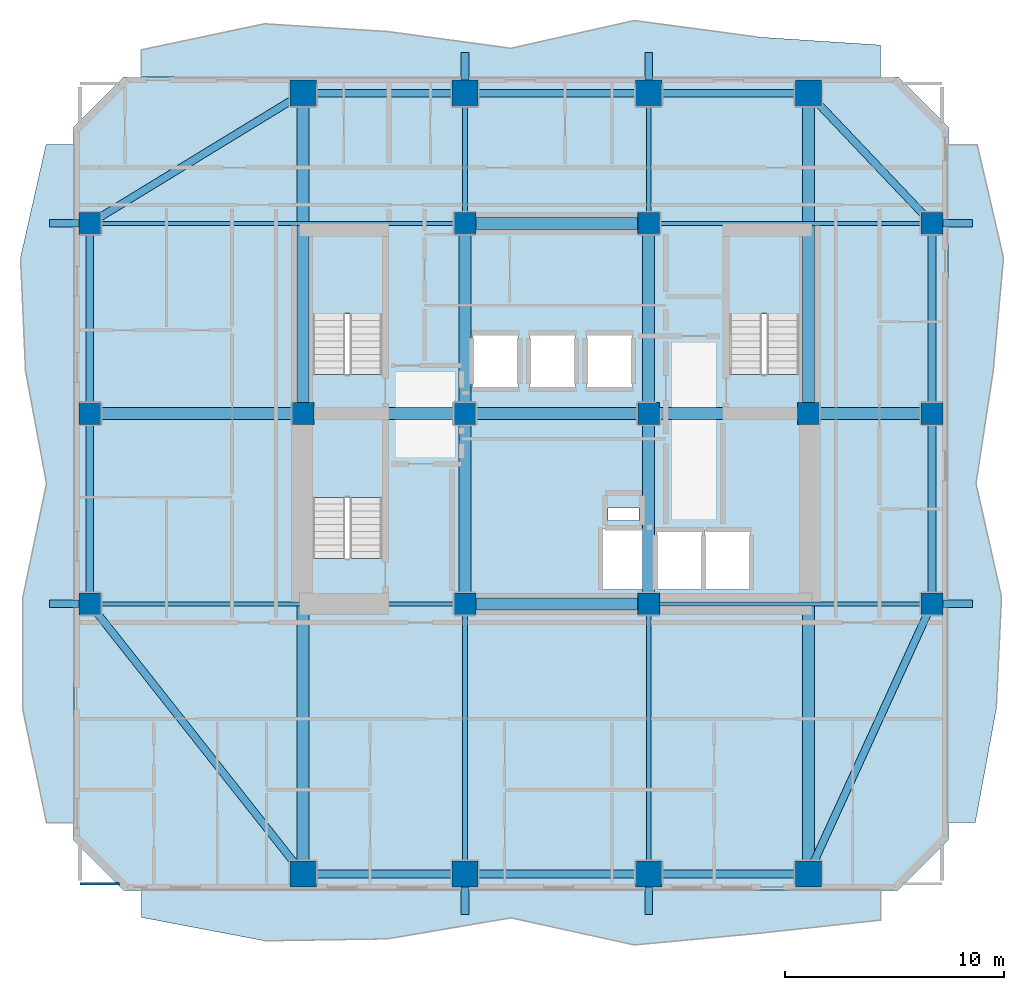
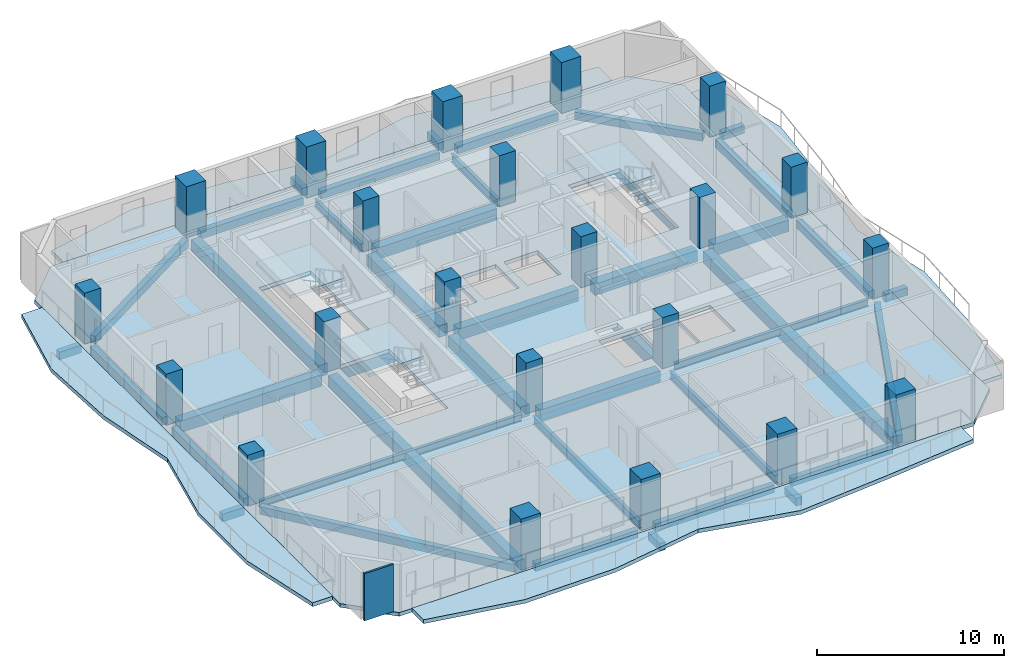
# One storey, part 1 of 11: 45 beams, 22 columns, 8 slabs, 1 wall, 3 elements without a shape of their own.
"""IFC4 building model written with IfcOpenShell, lengths in metres."""

from ifc_helpers import new_model, si_unit, direction, frame, frame_2d, origin, origin_2d, place, context, subcontext, project, spatial, polyline, rectangle, i_section, outline, extrude, material, layer, layer_set, material_profile, profile_set, type_object, element, aggregate, save


model = new_model("IFC4")

# Units and contexts
model_context = context("Model", 3, precision=1e-05, world=origin(), true_north=direction((0.0, 1.0)))
body_context = subcontext(model_context, "Body", "Model", "MODEL_VIEW")
ifc_project = project(units=[si_unit("LENGTHUNIT", "METRE"), si_unit("AREAUNIT", "SQUARE_METRE"), si_unit("VOLUMEUNIT", "CUBIC_METRE"), si_unit("PLANEANGLEUNIT", "RADIAN"), si_unit("MASSUNIT", "GRAM", prefix="KILO")], contexts=[model_context])

# Site, building, storey
site_placement = place(None, origin())
site = spatial("IfcSite", under=ifc_project, at=site_placement, CompositionType="ELEMENT")
building_placement = place(site_placement, origin())
building = spatial("IfcBuilding", under=site, at=building_placement, Name="Solanera Arch Residences", CompositionType="ELEMENT")
storey_placement = place(building_placement, frame((0.0, 0.0, 112.719970703125)))
storey = spatial("IfcBuildingStorey", under=building, at=storey_placement, Name="L32", CompositionType="ELEMENT", Elevation=112.719970703125)

# Columns
ifc_material_1 = material(Name="Concrete C55/67 (f'c = 60 MPa)", Category="concrete")
ifc_material_profile_1 = material_profile(ifc_material_1, rectangle(XDim=1.0, YDim=1.0, at=origin_2d()))
ifc_profile_set_1 = profile_set([ifc_material_profile_1], Name="Concrete C55/67 (f'c = 60 MPa)")
column_type_1 = type_object("IfcColumnType", Name="Structural Column RC-COL-1000X1000", PredefinedType="COLUMN", material=ifc_profile_set_1)
for number, where, z_axis, x_axis, name in (
    (1, (20.800048828125, 22.0, 0.0), (0.0, 0.0, 1.0), (1.0, 0.0, 0.0), "COL-L32-CB-SW"),
    (2, (29.199951171875, 22.0, 0.0), (0.0, 0.0, 1.0), (1.0, 0.0, 0.0), "COL-L32-CB-SE"),
    (3, (20.800048828125, 39.39990234375, 0.0), (0.0, 0.0, 1.0), (1.0, 0.0, 0.0), "COL-L32-CB-NW"),
    (4, (29.199951171875, 39.39990234375, 0.0), (0.0, 0.0, 1.0), (1.0, 0.0, 0.0), "COL-L32-CB-NE"),
    (5, (13.39990234375, 30.699951171875, 0.0), (0.0, 0.0, 1.0), (1.0, 0.0, 0.0), "COL-L32-CB-WW"),
    (6, (36.5, 30.699951171875, 0.0), (0.0, 0.0, 1.0), (1.0, 0.0, 0.0), "COL-L32-CB-EE"),
    (7, (20.800048828125, 30.699951171875, 0.0), (0.0, 0.0, 1.0), (1.0, 0.0, 0.0), "COL-L32-CORE-W"),
    (8, (29.199951171875, 30.699951171875, 0.0), (0.0, 0.0, 1.0), (1.0, 0.0, 0.0), "COL-L32-CORE-E"),
    (9, (3.64990234375, 22.0, 0.0), (0.0, 0.0, 1.0), (1.0, 0.0, 0.0), "COL-L32-TWR-09"),
    (10, (42.14990234375, 22.0, 0.0), (0.0, 0.0, 1.0), (1.0, 0.0, 0.0), "COL-L32-TWR-10"),
    (11, (3.64990234375, 30.699951171875, 0.0), (0.0, 0.0, 1.0), (1.0, 0.0, 0.0), "COL-L32-TWR-11"),
    (12, (42.14990234375, 30.699951171875, 0.0), (0.0, 0.0, 1.0), (1.0, 0.0, 0.0), "COL-L32-TWR-12"),
    (13, (3.64990234375, 39.39990234375, 0.0), (0.0, 0.0, 1.0), (1.0, 0.0, 0.0), "COL-L32-TWR-13"),
    (14, (42.14990234375, 39.39990234375, 0.0), (0.0, 0.0, 1.0), (1.0, 0.0, 0.0), "COL-L32-TWR-14"),
):
    element("IfcColumn", number, at=place(storey_placement, frame(where, z_axis=z_axis, x_axis=x_axis)), inside=storey, type_object=column_type_1, Name=name, PredefinedType="COLUMN", context=body_context, shape_type="SweptSolid", body=[
        extrude(rectangle(XDim=1.0, YDim=1.0, at=origin_2d()), origin(), (0.0, 0.0, 1.0), 3.320068359375),
    ])
ifc_material_2 = material(Name="Concrete C55/67 (f'c = 60 MPa)", Category="concrete")
ifc_material_profile_2 = material_profile(ifc_material_2, rectangle(XDim=1.199951171875, YDim=1.199951171875, at=origin_2d()))
ifc_profile_set_2 = profile_set([ifc_material_profile_2], Name="Concrete C55/67 (f'c = 60 MPa)")
column_type_2 = type_object("IfcColumnType", Name="Structural Column RC-COL-1200X1200", PredefinedType="COLUMN", material=ifc_profile_set_2)
for number, where, z_axis, x_axis, name in (
    (15, (13.39990234375, 9.64990234375, 0.0), (0.0, 0.0, 1.0), (1.0, 0.0, 0.0), "COL-L32-TWR-01"),
    (16, (13.39990234375, 45.35009765625, 0.0), (0.0, 0.0, 1.0), (1.0, 0.0, 0.0), "COL-L32-TWR-02"),
    (17, (20.800048828125, 9.64990234375, 0.0), (0.0, 0.0, 1.0), (1.0, 0.0, 0.0), "COL-L32-TWR-03"),
    (18, (20.800048828125, 45.35009765625, 0.0), (0.0, 0.0, 1.0), (1.0, 0.0, 0.0), "COL-L32-TWR-04"),
    (19, (29.199951171875, 9.64990234375, 0.0), (0.0, 0.0, 1.0), (1.0, 0.0, 0.0), "COL-L32-TWR-05"),
    (20, (29.199951171875, 45.35009765625, 0.0), (0.0, 0.0, 1.0), (1.0, 0.0, 0.0), "COL-L32-TWR-06"),
    (21, (36.5, 9.64990234375, 0.0), (0.0, 0.0, 1.0), (1.0, 0.0, 0.0), "COL-L32-TWR-07"),
    (22, (36.5, 45.35009765625, 0.0), (0.0, 0.0, 1.0), (1.0, 0.0, 0.0), "COL-L32-TWR-08"),
):
    element("IfcColumn", number, at=place(storey_placement, frame(where, z_axis=z_axis, x_axis=x_axis)), inside=storey, type_object=column_type_2, Name=name, PredefinedType="COLUMN", context=body_context, shape_type="SweptSolid", body=[
        extrude(rectangle(XDim=1.199951171875, YDim=1.199951171875, at=origin_2d()), origin(), (0.0, 0.0, 1.0), 3.320068359375),
    ])

# Beams
ifc_material_3 = material(Name="Concrete C40/50 (f'c = 45 MPa)", Category="concrete")
ifc_material_profile_3 = material_profile(ifc_material_3, rectangle(XDim=0.35009765625, YDim=0.5, at=origin_2d()))
ifc_profile_set_3 = profile_set([ifc_material_profile_3], Name="Concrete C40/50 (f'c = 45 MPa)")
beam_type_1 = type_object("IfcBeamType", Name="BM-BALC-RIB", PredefinedType="BEAM", material=ifc_profile_set_3)
for number, where, z_axis, x_axis, name in (
    (23, (20.800048828125, 7.800048828125, -0.5), (0.0, 1.0, 0.0), (-1.0, 0.0, 0.0), "BM-L32-BRIB-S1"),
    (24, (29.199951171875, 7.800048828125, -0.5), (0.0, 1.0, 0.0), (-1.0, 0.0, 0.0), "BM-L32-BRIB-S2"),
    (25, (20.800048828125, 45.949951171875, -0.5), (0.0, 1.0, 0.0), (-1.0, 0.0, 0.0), "BM-L32-BRIB-N1"),
    (26, (29.199951171875, 45.949951171875, -0.5), (0.0, 1.0, 0.0), (-1.0, 0.0, 0.0), "BM-L32-BRIB-N2"),
):
    element("IfcBeam", number, at=place(storey_placement, frame(where, z_axis=z_axis, x_axis=x_axis)), inside=storey, type_object=beam_type_1, Name=name, PredefinedType="BEAM", context=body_context, shape_type="SweptSolid", body=[
        extrude(rectangle(XDim=0.35009765625, YDim=0.5, at=origin_2d()), origin(), (0.0, 0.0, 1.0), 1.25),
    ])
for number, where, z_axis, x_axis, name in (
    (27, (42.64990234375, 22.0, -0.5), (1.0, 0.0, 0.0), (0.0, 1.0, 0.0), "BM-L32-BRIB-E1"),
    (28, (42.64990234375, 39.39990234375, -0.5), (1.0, 0.0, 0.0), (0.0, 1.0, 0.0), "BM-L32-BRIB-E2"),
):
    element("IfcBeam", number, at=place(storey_placement, frame(where, z_axis=z_axis, x_axis=x_axis)), inside=storey, type_object=beam_type_1, Name=name, PredefinedType="BEAM", context=body_context, shape_type="SweptSolid", body=[
        extrude(rectangle(XDim=0.35009765625, YDim=0.5, at=origin_2d()), origin(), (0.0, 0.0, 1.0), 1.35009765625),
    ])
for number, where, z_axis, x_axis, name in (
    (29, (1.800048828125, 22.0, -0.5), (1.0, 0.0, 0.0), (0.0, 1.0, 0.0), "BM-L32-BRIB-W1"),
    (30, (1.800048828125, 39.39990234375, -0.5), (1.0, 0.0, 0.0), (0.0, 1.0, 0.0), "BM-L32-BRIB-W2"),
):
    element("IfcBeam", number, at=place(storey_placement, frame(where, z_axis=z_axis, x_axis=x_axis)), inside=storey, type_object=beam_type_1, Name=name, PredefinedType="BEAM", context=body_context, shape_type="SweptSolid", body=[
        extrude(rectangle(XDim=0.35009765625, YDim=0.5, at=origin_2d()), origin(), (0.0, 0.0, 1.0), 1.349853515625),
    ])
ifc_material_4 = material(Name="Steel S355 (ASTM A992 / A572 Grade 50)", Category="steel")
ifc_material_profile_4 = material_profile(ifc_material_4, i_section(OverallWidth=0.208984375, OverallDepth=0.532958984375, WebThickness=0.01025390625, FlangeThickness=0.015625, at=origin_2d()))
ifc_profile_set_4 = profile_set([ifc_material_profile_4], Name="Steel S355 (ASTM A992 / A572 Grade 50)")
beam_type_2 = type_object("IfcBeamType", Name="Floor Beam W530X92", PredefinedType="BEAM", material=ifc_profile_set_4)
beam_1_placement = place(storey_placement, frame((20.800048828125, 10.18994140625, -0.505859375), z_axis=(0.0, 1.0, 0.0), x_axis=(-1.0, 0.0, 0.0)))
element("IfcBeam", 31, at=beam_1_placement, inside=storey, type_object=beam_type_2, Name="BM-L32-RAD-S-208", PredefinedType="BEAM", context=body_context, shape_type="SweptSolid", body=[
    extrude(i_section(OverallWidth=0.208984375, OverallDepth=0.532958984375, WebThickness=0.01025390625, FlangeThickness=0.015625, at=origin_2d()), origin(), (0.0, 0.0, 1.0), 11.30615234375),
])
beam_2_placement = place(storey_placement, frame((20.800048828125, 39.904052734375, -0.505859375), z_axis=(0.0, 1.0, 0.0), x_axis=(-1.0, 0.0, 0.0)))
element("IfcBeam", 32, at=beam_2_placement, inside=storey, type_object=beam_type_2, Name="BM-L32-RAD-N-208", PredefinedType="BEAM", context=body_context, shape_type="SweptSolid", body=[
    extrude(i_section(OverallWidth=0.208984375, OverallDepth=0.532958984375, WebThickness=0.01025390625, FlangeThickness=0.015625, at=origin_2d()), origin(), (0.0, 0.0, 1.0), 4.906005859375),
])
beam_3_placement = place(storey_placement, frame((29.199951171875, 10.18994140625, -0.505859375), z_axis=(0.0, 1.0, 0.0), x_axis=(-1.0, 0.0, 0.0)))
element("IfcBeam", 33, at=beam_3_placement, inside=storey, type_object=beam_type_2, Name="BM-L32-RAD-S-292", PredefinedType="BEAM", context=body_context, shape_type="SweptSolid", body=[
    extrude(i_section(OverallWidth=0.208984375, OverallDepth=0.532958984375, WebThickness=0.01025390625, FlangeThickness=0.015625, at=origin_2d()), origin(), (0.0, 0.0, 1.0), 11.30615234375),
])
beam_4_placement = place(storey_placement, frame((29.199951171875, 39.904052734375, -0.505859375), z_axis=(0.0, 1.0, 0.0), x_axis=(-1.0, 0.0, 0.0)))
element("IfcBeam", 34, at=beam_4_placement, inside=storey, type_object=beam_type_2, Name="BM-L32-RAD-N-292", PredefinedType="BEAM", context=body_context, shape_type="SweptSolid", body=[
    extrude(i_section(OverallWidth=0.208984375, OverallDepth=0.532958984375, WebThickness=0.01025390625, FlangeThickness=0.015625, at=origin_2d()), origin(), (0.0, 0.0, 1.0), 4.906005859375),
])
ifc_material_5 = material(Name="Concrete C40/50 (f'c = 45 MPa)", Category="concrete")
ifc_material_profile_5 = material_profile(ifc_material_5, rectangle(XDim=0.550048828125, YDim=0.75, at=origin_2d()))
ifc_profile_set_5 = profile_set([ifc_material_profile_5], Name="Concrete C40/50 (f'c = 45 MPa)")
beam_type_3 = type_object("IfcBeamType", Name="Primary Beam RC-BM-550X750", PredefinedType="BEAM", material=ifc_profile_set_5)
beam_5_placement = place(storey_placement, frame((20.800048828125, 22.50390625, -0.614990234375), z_axis=(0.0, 1.0, 0.0), x_axis=(-1.0, 0.0, 0.0)))
element("IfcBeam", 35, at=beam_5_placement, inside=storey, type_object=beam_type_3, Name="BM-L32-CC-S-208", PredefinedType="BEAM", context=body_context, shape_type="SweptSolid", body=[
    extrude(rectangle(XDim=0.550048828125, YDim=0.75, at=origin_2d()), origin(), (0.0, 0.0, 1.0), 7.692138671875),
])
beam_6_placement = place(storey_placement, frame((20.800048828125, 31.2041015625, -0.614990234375), z_axis=(0.0, 1.0, 0.0), x_axis=(-1.0, 0.0, 0.0)))
element("IfcBeam", 36, at=beam_6_placement, inside=storey, type_object=beam_type_3, Name="BM-L32-CC-N-208", PredefinedType="BEAM", context=body_context, shape_type="SweptSolid", body=[
    extrude(rectangle(XDim=0.550048828125, YDim=0.75, at=origin_2d()), origin(), (0.0, 0.0, 1.0), 7.69189453125),
])
beam_7_placement = place(storey_placement, frame((29.199951171875, 22.50390625, -0.614990234375), z_axis=(0.0, 1.0, 0.0), x_axis=(-1.0, 0.0, 0.0)))
element("IfcBeam", 37, at=beam_7_placement, inside=storey, type_object=beam_type_3, Name="BM-L32-CC-S-292", PredefinedType="BEAM", context=body_context, shape_type="SweptSolid", body=[
    extrude(rectangle(XDim=0.550048828125, YDim=0.75, at=origin_2d()), origin(), (0.0, 0.0, 1.0), 7.692138671875),
])
beam_8_placement = place(storey_placement, frame((29.199951171875, 31.2041015625, -0.614990234375), z_axis=(0.0, 1.0, 0.0), x_axis=(-1.0, 0.0, 0.0)))
element("IfcBeam", 38, at=beam_8_placement, inside=storey, type_object=beam_type_3, Name="BM-L32-CC-N-292", PredefinedType="BEAM", context=body_context, shape_type="SweptSolid", body=[
    extrude(rectangle(XDim=0.550048828125, YDim=0.75, at=origin_2d()), origin(), (0.0, 0.0, 1.0), 7.69189453125),
])
for number, where, z_axis, x_axis, name in (
    (39, (21.303955078125, 22.0, -0.614990234375), (1.0, 0.0, 0.0), (0.0, 1.0, 0.0), "BM-L32-CC-M-220"),
    (40, (21.303955078125, 30.699951171875, -0.614990234375), (1.0, 0.0, 0.0), (0.0, 1.0, 0.0), "BM-L32-CC-M-307"),
    (41, (21.303955078125, 39.39990234375, -0.614990234375), (1.0, 0.0, 0.0), (0.0, 1.0, 0.0), "BM-L32-CC-M-394"),
):
    element("IfcBeam", number, at=place(storey_placement, frame(where, z_axis=z_axis, x_axis=x_axis)), inside=storey, type_object=beam_type_3, Name=name, PredefinedType="BEAM", context=body_context, shape_type="SweptSolid", body=[
        extrude(rectangle(XDim=0.550048828125, YDim=0.75, at=origin_2d()), origin(), (0.0, 0.0, 1.0), 7.39208984375),
    ])
beam_9_placement = place(storey_placement, frame((13.904052734375, 30.699951171875, -0.614990234375), z_axis=(1.0, 0.0, 0.0), x_axis=(0.0, 1.0, 0.0)))
element("IfcBeam", 42, at=beam_9_placement, inside=storey, type_object=beam_type_3, Name="BM-L32-CC-W", PredefinedType="BEAM", context=body_context, shape_type="SweptSolid", body=[
    extrude(rectangle(XDim=0.550048828125, YDim=0.75, at=origin_2d()), origin(), (0.0, 0.0, 1.0), 6.391845703125),
])
beam_10_placement = place(storey_placement, frame((29.7041015625, 30.699951171875, -0.614990234375), z_axis=(1.0, 0.0, 0.0), x_axis=(0.0, 1.0, 0.0)))
element("IfcBeam", 43, at=beam_10_placement, inside=storey, type_object=beam_type_3, Name="BM-L32-CC-E", PredefinedType="BEAM", context=body_context, shape_type="SweptSolid", body=[
    extrude(rectangle(XDim=0.550048828125, YDim=0.75, at=origin_2d()), origin(), (0.0, 0.0, 1.0), 6.2919921875),
])
beam_11_placement = place(storey_placement, frame((13.39990234375, 10.18994140625, -0.614990234375), z_axis=(0.0, 1.0, 0.0), x_axis=(-1.0, 0.0, 0.0)))
element("IfcBeam", 44, at=beam_11_placement, inside=storey, type_object=beam_type_3, Name="BM-L32-RAD-OS-134", PredefinedType="BEAM", context=body_context, shape_type="SweptSolid", body=[
    extrude(rectangle(XDim=0.550048828125, YDim=0.75, at=origin_2d()), origin(), (0.0, 0.0, 1.0), 20.006103515625),
])
beam_12_placement = place(storey_placement, frame((13.39990234375, 31.2041015625, -0.614990234375), z_axis=(0.0, 1.0, 0.0), x_axis=(-1.0, 0.0, 0.0)))
element("IfcBeam", 45, at=beam_12_placement, inside=storey, type_object=beam_type_3, Name="BM-L32-RAD-ON-134", PredefinedType="BEAM", context=body_context, shape_type="SweptSolid", body=[
    extrude(rectangle(XDim=0.550048828125, YDim=0.75, at=origin_2d()), origin(), (0.0, 0.0, 1.0), 13.60595703125),
])
beam_13_placement = place(storey_placement, frame((36.5, 10.18994140625, -0.614990234375), z_axis=(0.0, 1.0, 0.0), x_axis=(-1.0, 0.0, 0.0)))
element("IfcBeam", 46, at=beam_13_placement, inside=storey, type_object=beam_type_3, Name="BM-L32-RAD-OS-365", PredefinedType="BEAM", context=body_context, shape_type="SweptSolid", body=[
    extrude(rectangle(XDim=0.550048828125, YDim=0.75, at=origin_2d()), origin(), (0.0, 0.0, 1.0), 20.006103515625),
])
beam_14_placement = place(storey_placement, frame((36.5, 31.2041015625, -0.614990234375), z_axis=(0.0, 1.0, 0.0), x_axis=(-1.0, 0.0, 0.0)))
element("IfcBeam", 47, at=beam_14_placement, inside=storey, type_object=beam_type_3, Name="BM-L32-RAD-ON-365", PredefinedType="BEAM", context=body_context, shape_type="SweptSolid", body=[
    extrude(rectangle(XDim=0.550048828125, YDim=0.75, at=origin_2d()), origin(), (0.0, 0.0, 1.0), 13.60595703125),
])
beam_15_placement = place(storey_placement, frame((4.154052734375, 30.699951171875, -0.614990234375), z_axis=(1.0, 0.0, 0.0), x_axis=(0.0, 1.0, 0.0)))
element("IfcBeam", 48, at=beam_15_placement, inside=storey, type_object=beam_type_3, Name="BM-L32-RAD-MW", PredefinedType="BEAM", context=body_context, shape_type="SweptSolid", body=[
    extrude(rectangle(XDim=0.550048828125, YDim=0.75, at=origin_2d()), origin(), (0.0, 0.0, 1.0), 8.741943359375),
])
beam_16_placement = place(storey_placement, frame((37.00390625, 30.699951171875, -0.614990234375), z_axis=(1.0, 0.0, 0.0), x_axis=(0.0, 1.0, 0.0)))
element("IfcBeam", 49, at=beam_16_placement, inside=storey, type_object=beam_type_3, Name="BM-L32-RAD-ME", PredefinedType="BEAM", context=body_context, shape_type="SweptSolid", body=[
    extrude(rectangle(XDim=0.550048828125, YDim=0.75, at=origin_2d()), origin(), (0.0, 0.0, 1.0), 4.64208984375),
])
ifc_material_6 = material(Name="Steel S355 (ASTM A992 / A572 Grade 50)", Category="steel")
ifc_material_profile_6 = material_profile(ifc_material_6, i_section(OverallWidth=0.19091796875, OverallDepth=0.4599609375, WebThickness=0.010009765625, FlangeThickness=0.01611328125, at=origin_2d()))
ifc_profile_set_6 = profile_set([ifc_material_profile_6], Name="Steel S355 (ASTM A992 / A572 Grade 50)")
beam_type_4 = type_object("IfcBeamType", Name="Secondary Joist W460X82", PredefinedType="JOIST", material=ifc_profile_set_6)
beam_17_placement = place(storey_placement, frame((4.154052734375, 22.0, -0.469970703125), z_axis=(1.0, 0.0, 0.0), x_axis=(0.0, 1.0, 0.0)))
element("IfcBeam", 50, at=beam_17_placement, inside=storey, type_object=beam_type_4, Name="BM-L32-RAD-W-220", PredefinedType="JOIST", context=body_context, shape_type="SweptSolid", body=[
    extrude(i_section(OverallWidth=0.19091796875, OverallDepth=0.4599609375, WebThickness=0.010009765625, FlangeThickness=0.01611328125, at=origin_2d()), origin(), (0.0, 0.0, 1.0), 16.141845703125),
])
beam_18_placement = place(storey_placement, frame((29.7041015625, 22.0, -0.469970703125), z_axis=(1.0, 0.0, 0.0), x_axis=(0.0, 1.0, 0.0)))
element("IfcBeam", 51, at=beam_18_placement, inside=storey, type_object=beam_type_4, Name="BM-L32-RAD-E-220", PredefinedType="JOIST", context=body_context, shape_type="SweptSolid", body=[
    extrude(i_section(OverallWidth=0.19091796875, OverallDepth=0.4599609375, WebThickness=0.010009765625, FlangeThickness=0.01611328125, at=origin_2d()), origin(), (0.0, 0.0, 1.0), 11.94189453125),
])
beam_19_placement = place(storey_placement, frame((4.154052734375, 39.39990234375, -0.469970703125), z_axis=(1.0, 0.0, 0.0), x_axis=(0.0, 1.0, 0.0)))
element("IfcBeam", 52, at=beam_19_placement, inside=storey, type_object=beam_type_4, Name="BM-L32-RAD-W-394", PredefinedType="JOIST", context=body_context, shape_type="SweptSolid", body=[
    extrude(i_section(OverallWidth=0.19091796875, OverallDepth=0.4599609375, WebThickness=0.010009765625, FlangeThickness=0.01611328125, at=origin_2d()), origin(), (0.0, 0.0, 1.0), 16.141845703125),
])
beam_20_placement = place(storey_placement, frame((29.7041015625, 39.39990234375, -0.469970703125), z_axis=(1.0, 0.0, 0.0), x_axis=(0.0, 1.0, 0.0)))
element("IfcBeam", 53, at=beam_20_placement, inside=storey, type_object=beam_type_4, Name="BM-L32-RAD-E-394", PredefinedType="JOIST", context=body_context, shape_type="SweptSolid", body=[
    extrude(i_section(OverallWidth=0.19091796875, OverallDepth=0.4599609375, WebThickness=0.010009765625, FlangeThickness=0.01611328125, at=origin_2d()), origin(), (0.0, 0.0, 1.0), 11.94189453125),
])
ifc_material_7 = material(Name="Concrete C40/50 (f'c = 45 MPa)", Category="concrete")
ifc_material_profile_7 = material_profile(ifc_material_7, rectangle(XDim=0.35009765625, YDim=0.5, at=origin_2d()))
ifc_profile_set_7 = profile_set([ifc_material_profile_7], Name="Concrete C40/50 (f'c = 45 MPa)")
beam_type_5 = type_object("IfcBeamType", Name="Spandrel Beam RC-BM-350X500", PredefinedType="SPANDREL", material=ifc_profile_set_7)
for number, where, z_axis, x_axis, name in (
    (54, (13.93994140625, 9.64990234375, -0.489990234375), (1.0, 0.0, 0.0), (0.0, 1.0, 0.0), "BM-L32-SPN-S-1"),
    (55, (13.93994140625, 45.35009765625, -0.489990234375), (1.0, 0.0, 0.0), (0.0, 1.0, 0.0), "BM-L32-SPN-N-1"),
):
    element("IfcBeam", number, at=place(storey_placement, frame(where, z_axis=z_axis, x_axis=x_axis)), inside=storey, type_object=beam_type_5, Name=name, PredefinedType="SPANDREL", context=body_context, shape_type="SweptSolid", body=[
        extrude(rectangle(XDim=0.35009765625, YDim=0.5, at=origin_2d()), origin(), (0.0, 0.0, 1.0), 6.320068359375),
    ])
for number, where, z_axis, x_axis, name in (
    (56, (21.340087890625, 9.64990234375, -0.489990234375), (1.0, 0.0, 0.0), (0.0, 1.0, 0.0), "BM-L32-SPN-S-2"),
    (57, (21.340087890625, 45.35009765625, -0.489990234375), (1.0, 0.0, 0.0), (0.0, 1.0, 0.0), "BM-L32-SPN-N-2"),
):
    element("IfcBeam", number, at=place(storey_placement, frame(where, z_axis=z_axis, x_axis=x_axis)), inside=storey, type_object=beam_type_5, Name=name, PredefinedType="SPANDREL", context=body_context, shape_type="SweptSolid", body=[
        extrude(rectangle(XDim=0.35009765625, YDim=0.5, at=origin_2d()), origin(), (0.0, 0.0, 1.0), 7.31982421875),
    ])
for number, where, z_axis, x_axis, name in (
    (58, (29.739990234375, 9.64990234375, -0.489990234375), (1.0, 0.0, 0.0), (0.0, 1.0, 0.0), "BM-L32-SPN-S-3"),
    (59, (29.739990234375, 45.35009765625, -0.489990234375), (1.0, 0.0, 0.0), (0.0, 1.0, 0.0), "BM-L32-SPN-N-3"),
):
    element("IfcBeam", number, at=place(storey_placement, frame(where, z_axis=z_axis, x_axis=x_axis)), inside=storey, type_object=beam_type_5, Name=name, PredefinedType="SPANDREL", context=body_context, shape_type="SweptSolid", body=[
        extrude(rectangle(XDim=0.35009765625, YDim=0.5, at=origin_2d()), origin(), (0.0, 0.0, 1.0), 6.219970703125),
    ])
for number, where, z_axis, x_axis, name in (
    (60, (3.64990234375, 22.50390625, -0.489990234375), (0.0, 1.0, 0.0), (-1.0, 0.0, 0.0), "BM-L32-SPN-W-1"),
    (61, (42.14990234375, 22.50390625, -0.489990234375), (0.0, 1.0, 0.0), (-1.0, 0.0, 0.0), "BM-L32-SPN-E-1"),
):
    element("IfcBeam", number, at=place(storey_placement, frame(where, z_axis=z_axis, x_axis=x_axis)), inside=storey, type_object=beam_type_5, Name=name, PredefinedType="SPANDREL", context=body_context, shape_type="SweptSolid", body=[
        extrude(rectangle(XDim=0.35009765625, YDim=0.5, at=origin_2d()), origin(), (0.0, 0.0, 1.0), 7.692138671875),
    ])
for number, where, z_axis, x_axis, name in (
    (62, (3.64990234375, 31.2041015625, -0.489990234375), (0.0, 1.0, 0.0), (-1.0, 0.0, 0.0), "BM-L32-SPN-W-2"),
    (63, (42.14990234375, 31.2041015625, -0.489990234375), (0.0, 1.0, 0.0), (-1.0, 0.0, 0.0), "BM-L32-SPN-E-2"),
):
    element("IfcBeam", number, at=place(storey_placement, frame(where, z_axis=z_axis, x_axis=x_axis)), inside=storey, type_object=beam_type_5, Name=name, PredefinedType="SPANDREL", context=body_context, shape_type="SweptSolid", body=[
        extrude(rectangle(XDim=0.35009765625, YDim=0.5, at=origin_2d()), origin(), (0.0, 0.0, 1.0), 7.69189453125),
    ])
beam_21_placement = place(storey_placement, frame((13.06494140625, 10.073974609375, -0.489990234375), z_axis=(-0.619616738842, 0.784904514541, 0.0), x_axis=(-0.784904514541, -0.619616738842, 0.0)))
element("IfcBeam", 64, at=beam_21_placement, inside=storey, type_object=beam_type_5, Name="BM-L32-SPN-SW", PredefinedType="SPANDREL", context=body_context, shape_type="SweptSolid", body=[
    extrude(rectangle(XDim=0.35009765625, YDim=0.5, at=origin_2d()), origin(), (0.0, 0.0, 1.0), 14.654052734375),
])
beam_22_placement = place(storey_placement, frame((12.93896484375, 45.069091796875, -0.489990234375), z_axis=(-0.85356704597, -0.520983011271, 0.0), x_axis=(0.520983011271, -0.85356704597, 0.0)))
element("IfcBeam", 65, at=beam_22_placement, inside=storey, type_object=beam_type_5, Name="BM-L32-SPN-NW", PredefinedType="SPANDREL", context=body_context, shape_type="SweptSolid", body=[
    extrude(rectangle(XDim=0.35009765625, YDim=0.5, at=origin_2d()), origin(), (0.0, 0.0, 1.0), 10.34228515625),
])
beam_23_placement = place(storey_placement, frame((36.72509765625, 10.14111328125, -0.489990234375), z_axis=(0.415970676335, 0.909378027241, 0.0), x_axis=(-0.909378027241, 0.415970676335, 0.0)))
element("IfcBeam", 66, at=beam_23_placement, inside=storey, type_object=beam_type_5, Name="BM-L32-SPN-SE", PredefinedType="SPANDREL", context=body_context, shape_type="SweptSolid", body=[
    extrude(rectangle(XDim=0.35009765625, YDim=0.5, at=origin_2d()), origin(), (0.0, 0.0, 1.0), 12.500732421875),
])
beam_24_placement = place(storey_placement, frame((36.8720703125, 44.9580078125, -0.489990234375), z_axis=(0.688623365426, -0.7251192044, 0.0), x_axis=(0.7251192044, 0.688623365426, 0.0)))
element("IfcBeam", 67, at=beam_24_placement, inside=storey, type_object=beam_type_5, Name="BM-L32-SPN-NE", PredefinedType="SPANDREL", context=body_context, shape_type="SweptSolid", body=[
    extrude(rectangle(XDim=0.35009765625, YDim=0.5, at=origin_2d()), origin(), (0.0, 0.0, 1.0), 7.124267578125),
])

# Slabs
ifc_material_8 = material(Name="Concrete C40/50 (f'c = 45 MPa)", Category="concrete")
ifc_layer_1 = layer(ifc_material_8, 0.25)
ifc_layer_set_1 = layer_set([ifc_layer_1], Name="Concrete C40/50 (f'c = 45 MPa)")
slab_type_1 = type_object("IfcSlabType", Name="Balcony Slab 250", PredefinedType="FLOOR", material=ifc_layer_set_1)
slab_1_placement = place(storey_placement, frame((0.0, 0.0, -0.25)))
element("IfcSlab", 68, at=slab_1_placement, inside=storey, type_object=slab_type_1, Name="L32 S Rippling Brise-Soleil Balcony Slab", PredefinedType="FLOOR", context=body_context, shape_type="SweptSolid", body=[
    extrude(outline(polyline([(6.0, 7.666015625), (11.633056640625, 6.596923828125), (17.26708984375, 6.68798828125), (22.89990234375, 7.64794921875), (28.532958984375, 6.407958984375), (34.1669921875, 6.931884765625), (39.800048828125, 7.544921875), (39.800048828125, 8.919921875), (6.0, 8.919921875), (6.0, 7.666015625)])), origin(), (0.0, 0.0, 1.0), 0.25),
])
slab_2_placement = place(storey_placement, frame((0.0, 0.0, -0.25)))
element("IfcSlab", 69, at=slab_2_placement, inside=storey, type_object=slab_type_1, Name="L32 N Rippling Brise-Soleil Balcony Slab", PredefinedType="FLOOR", context=body_context, shape_type="SweptSolid", body=[
    extrude(outline(polyline([(39.800048828125, 47.551025390625), (34.1669921875, 47.919921875), (28.532958984375, 48.673095703125), (22.89990234375, 47.403076171875), (17.26708984375, 48.1689453125), (11.633056640625, 48.52197265625), (6.0, 47.333984375), (6.0, 46.080078125), (39.800048828125, 46.080078125), (39.800048828125, 47.551025390625)])), origin(), (0.0, 0.0, 1.0), 0.25),
])
slab_3_placement = place(storey_placement, frame((0.0, 0.0, -0.25)))
element("IfcSlab", 70, at=slab_3_placement, inside=storey, type_object=slab_type_1, Name="L32 E Rippling Brise-Soleil Balcony Slab", PredefinedType="FLOOR", context=body_context, shape_type="SweptSolid", body=[
    extrude(outline(polyline([(44.134033203125, 12.0), (45.0859375, 17.1669921875), (45.3291015625, 22.3330078125), (44.162109375, 27.5), (44.950927734375, 32.6669921875), (45.419921875, 37.8330078125), (44.216064453125, 43.0), (42.8798828125, 43.0), (42.8798828125, 12.0), (44.134033203125, 12.0)])), origin(), (0.0, 0.0, 1.0), 0.25),
])
slab_4_placement = place(storey_placement, frame((0.0, 0.0, -0.25)))
element("IfcSlab", 71, at=slab_4_placement, inside=storey, type_object=slab_type_1, Name="L32 W Rippling Brise-Soleil Balcony Slab", PredefinedType="FLOOR", context=body_context, shape_type="SweptSolid", body=[
    extrude(outline(polyline([(1.64111328125, 43.0), (0.47802734375, 37.8330078125), (0.7060546875, 32.6669921875), (1.6669921875, 27.5), (0.589111328125, 22.3330078125), (0.5810546875, 17.1669921875), (1.666015625, 12.0), (2.919921875, 12.0), (2.919921875, 43.0), (1.64111328125, 43.0)])), origin(), (0.0, 0.0, 1.0), 0.25),
])

# Stair, slab
ifc_material_9 = material(Name="Concrete C40/50 (f'c = 45 MPa)", Category="concrete")
stair_type = type_object("IfcStairType", Name="Tower Dogleg Exit Stair 1480", PredefinedType="HALF_TURN_STAIR", material=ifc_material_9)
stair_1_placement = place(storey_placement, origin())
stair_1 = element("IfcStair", 72, at=stair_1_placement, inside=storey, type_object=stair_type, Name="L32 Tower Core Exit Stair 1", PredefinedType="HALF_TURN_STAIR")
ifc_material_10 = material(Name="Concrete C40/50 (f'c = 45 MPa)", Category="concrete")
ifc_layer_2 = layer(ifc_material_10, 0.199951171875)
ifc_layer_set_2 = layer_set([ifc_layer_2], Name="Concrete C40/50 (f'c = 45 MPa)")
slab_type_2 = type_object("IfcSlabType", Name="Stair Half-Landing Slab 200", PredefinedType="LANDING", material=ifc_layer_set_2)
slab_5_placement = place(storey_placement, frame((0.0, 0.0, 1.4599609375)))
slab_5 = element("IfcSlab", 73, at=slab_5_placement, type_object=slab_type_2, Name="ST-T1 landing 1", PredefinedType="LANDING", context=body_context, shape_type="SweptSolid", body=[
    extrude(outline(polyline([(17.1201171875, 35.260009765625), (17.1201171875, 38.919921875), (13.719970703125, 38.919921875), (13.719970703125, 35.260009765625), (17.1201171875, 35.260009765625)])), origin(), (0.0, 0.0, 1.0), 0.199951171875),
])
aggregate(stair_1, [slab_5])

stair_2_placement = place(storey_placement, origin())
stair_2 = element("IfcStair", 74, at=stair_2_placement, inside=storey, type_object=stair_type, Name="L32 Tower Core Exit Stair 2", PredefinedType="HALF_TURN_STAIR")
slab_6_placement = place(storey_placement, frame((0.0, 0.0, 1.4599609375)))
slab_6 = element("IfcSlab", 75, at=slab_6_placement, type_object=slab_type_2, Name="ST-T2 landing 1", PredefinedType="LANDING", context=body_context, shape_type="SweptSolid", body=[
    extrude(outline(polyline([(36.179931640625, 35.260009765625), (36.179931640625, 38.919921875), (32.780029296875, 38.919921875), (32.780029296875, 35.260009765625), (36.179931640625, 35.260009765625)])), origin(), (0.0, 0.0, 1.0), 0.199951171875),
])
aggregate(stair_2, [slab_6])

stair_3_placement = place(storey_placement, origin())
stair_3 = element("IfcStair", 76, at=stair_3_placement, inside=storey, type_object=stair_type, Name="L32 Tower Core Exit Stair 3", PredefinedType="HALF_TURN_STAIR")
slab_7_placement = place(storey_placement, frame((0.0, 0.0, 1.4599609375)))
slab_7 = element("IfcSlab", 77, at=slab_7_placement, type_object=slab_type_2, Name="ST-T3 landing 1", PredefinedType="LANDING", context=body_context, shape_type="SweptSolid", body=[
    extrude(outline(polyline([(17.1201171875, 26.860107421875), (17.1201171875, 30.52001953125), (13.719970703125, 30.52001953125), (13.719970703125, 26.860107421875), (17.1201171875, 26.860107421875)])), origin(), (0.0, 0.0, 1.0), 0.199951171875),
])
aggregate(stair_3, [slab_7])

# Slab
ifc_material_11 = material(Name="Concrete C40/50 (f'c = 45 MPa)", Category="concrete")
ifc_layer_3 = layer(ifc_material_11, 0.239990234375)
ifc_layer_set_3 = layer_set([ifc_layer_3], Name="Concrete C40/50 (f'c = 45 MPa)")
slab_type_3 = type_object("IfcSlabType", Name="Suspended Floor Slab Post-Tensioned 240", PredefinedType="FLOOR", material=ifc_layer_set_3)
slab_8_placement = place(storey_placement, frame((0.0, 0.0, -0.239990234375)))
element("IfcSlab", 78, at=slab_8_placement, inside=storey, type_object=slab_type_3, Name="L32 Tower Post-Tensioned Floor Slab", PredefinedType="FLOOR", context=body_context, shape_type="SweptSolid", body=[
    extrude(outline(polyline([(5.199951171875, 8.89990234375), (40.60009765625, 8.89990234375), (42.89990234375, 11.199951171875), (42.89990234375, 43.800048828125), (40.60009765625, 46.10009765625), (5.199951171875, 46.10009765625), (2.89990234375, 43.800048828125), (2.89990234375, 11.199951171875), (5.199951171875, 8.89990234375)]), holes=[polyline([(13.840087890625, 32.48291015625), (13.840087890625, 38.800048828125), (17.0, 38.800048828125), (17.0, 32.48291015625), (13.840087890625, 32.48291015625)]), polyline([(32.89990234375, 32.48291015625), (32.89990234375, 38.800048828125), (36.06005859375, 38.800048828125), (36.06005859375, 32.48291015625), (32.89990234375, 32.48291015625)]), polyline([(13.840087890625, 24.0830078125), (13.840087890625, 30.39990234375), (17.0, 30.39990234375), (17.0, 24.0830078125), (13.840087890625, 24.0830078125)]), polyline([(21.14990234375, 34.35009765625), (23.25, 34.35009765625), (23.25, 31.85009765625), (21.14990234375, 31.85009765625), (21.14990234375, 34.35009765625)]), polyline([(23.75, 34.35009765625), (25.85009765625, 34.35009765625), (25.85009765625, 31.85009765625), (23.75, 31.85009765625), (23.75, 34.35009765625)]), polyline([(26.35009765625, 34.35009765625), (28.449951171875, 34.35009765625), (28.449951171875, 31.85009765625), (26.35009765625, 31.85009765625), (26.35009765625, 34.35009765625)]), polyline([(29.550048828125, 25.35009765625), (31.64990234375, 25.35009765625), (31.64990234375, 22.64990234375), (29.550048828125, 22.64990234375), (29.550048828125, 25.35009765625)]), polyline([(31.75, 25.35009765625), (33.85009765625, 25.35009765625), (33.85009765625, 22.64990234375), (31.75, 22.64990234375), (31.75, 25.35009765625)]), polyline([(27.050048828125, 25.449951171875), (29.35009765625, 25.449951171875), (29.35009765625, 22.64990234375), (27.050048828125, 22.64990234375), (27.050048828125, 25.449951171875)]), polyline([(27.340087890625, 26.3798828125), (28.760009765625, 26.3798828125), (28.760009765625, 25.820068359375), (27.340087890625, 25.820068359375), (27.340087890625, 26.3798828125)])]), origin(), (0.0, 0.0, 1.0), 0.239990234375),
])

# Wall
ifc_material_12 = material(Name="Fire-Rated Gypsum Stud Partition", Category="gypsum")
ifc_layer_4 = layer(ifc_material_12, 0.1201171875)
ifc_layer_set_4 = layer_set([ifc_layer_4], Name="Fire-Rated Gypsum Stud Partition")
wall_type = type_object("IfcWallType", Name="Unit Drywall Partition 120", PredefinedType="PARTITIONING", material=ifc_layer_set_4)
wall_placement = place(storey_placement, frame((3.199951171875, 9.199951171875, 0.0), z_axis=(0.0, 0.0, 1.0), x_axis=(1.0, 0.0, 0.0)))
element("IfcWall", 79, at=wall_placement, inside=storey, type_object=wall_type, Name="L32 Interior Partition H18 1", PredefinedType="PARTITIONING", context=body_context, shape_type="SweptSolid", body=[
    extrude(rectangle(XDim=1.795166015625, YDim=0.1201171875, at=frame_2d((0.8974609375, 0.0))), origin(), (0.0, 0.0, 1.0), 3.080078125),
])

save(model, "model.ifc")
